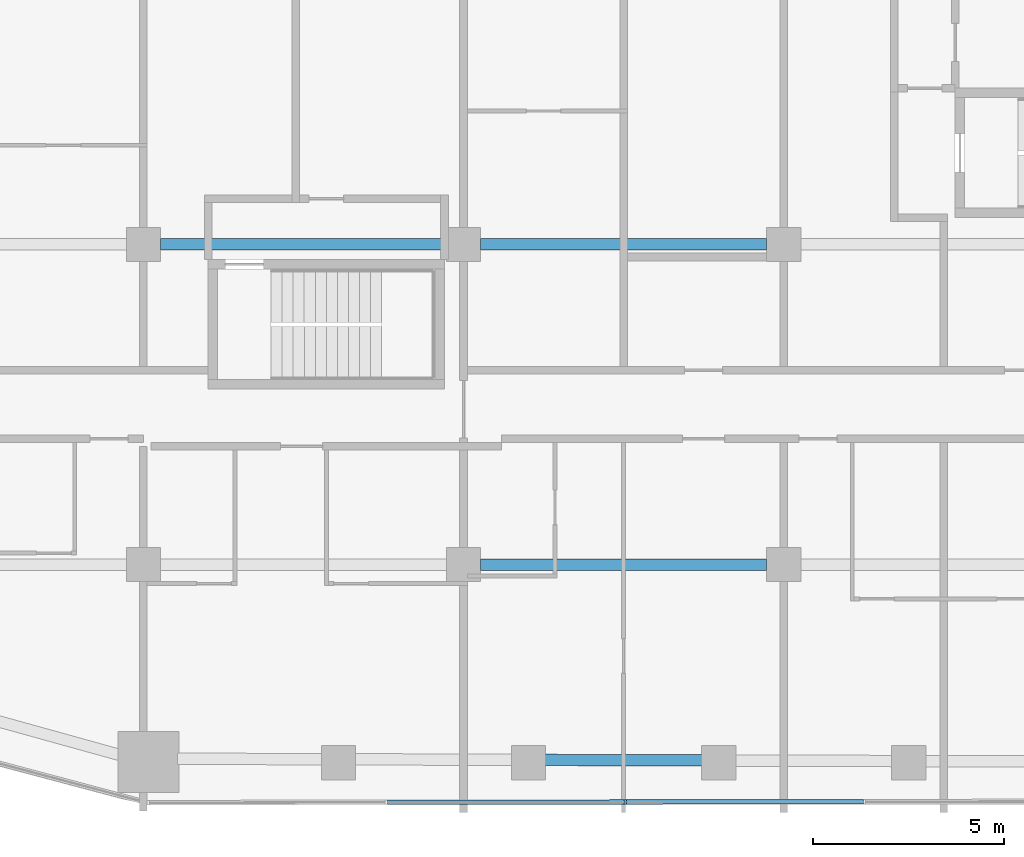
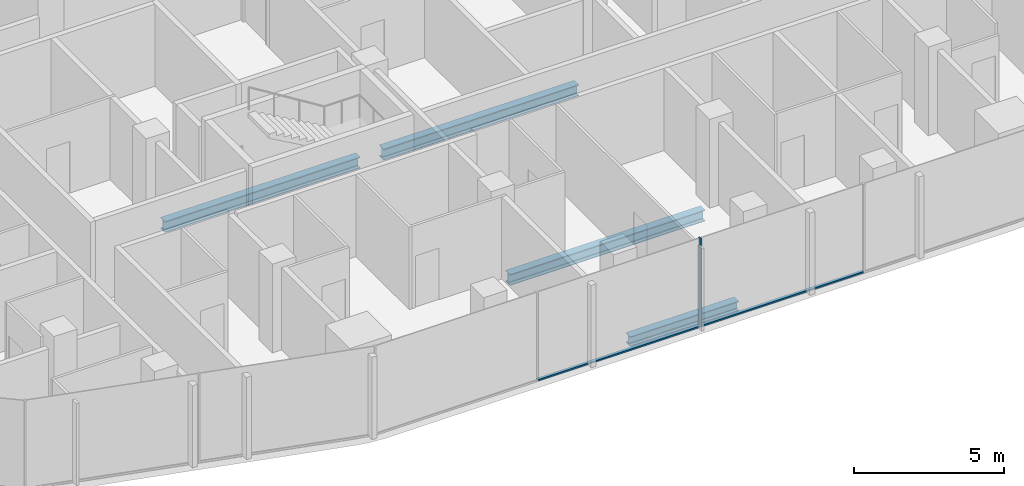
# One storey, part 3 of 23: 4 beams, 3 members, 1 element without a shape of its own.
"""IFC4 building model written with IfcOpenShell, lengths in metres."""

from ifc_helpers import new_model, si_unit, direction, frame, origin, origin_2d, place, context, subcontext, project, spatial, rectangle, i_section, extrude, material, layer, layer_set, material_profile, profile_set, type_object, element, aggregate, save


model = new_model("IFC4")

# Units and contexts
model_context = context("Model", 3, precision=1e-05, world=origin(), true_north=direction((0.0, 1.0)))
body_context = subcontext(model_context, "Body", "Model", "MODEL_VIEW")
ifc_project = project(units=[si_unit("LENGTHUNIT", "METRE"), si_unit("AREAUNIT", "SQUARE_METRE"), si_unit("VOLUMEUNIT", "CUBIC_METRE"), si_unit("PLANEANGLEUNIT", "RADIAN"), si_unit("MASSUNIT", "GRAM", prefix="KILO")], contexts=[model_context])

# Site, building, storey
site_placement = place(None, origin())
site = spatial("IfcSite", under=ifc_project, at=site_placement, CompositionType="ELEMENT")
building_placement = place(site_placement, origin())
building = spatial("IfcBuilding", under=site, at=building_placement, Name="Marenta Gate Hotel Tower", CompositionType="ELEMENT")
storey_placement = place(building_placement, frame((0.0, 0.0, 148.10009765625)))
storey = spatial("IfcBuildingStorey", under=building, at=storey_placement, Name="L34", CompositionType="ELEMENT", Elevation=148.10009765625)

# Beams
ifc_material_1 = material(Name="Steel S355", Category="steel")
ifc_material_profile_1 = material_profile(ifc_material_1, i_section(OverallWidth=0.300048828125, OverallDepth=0.39990234375, WebThickness=0.013427734375, FlangeThickness=0.02392578125, FilletRadius=0.027099609375, at=origin_2d()), Name="HEB 400")
ifc_profile_set_1 = profile_set([ifc_material_profile_1], Name="Steel S355")
beam_type_1 = type_object("IfcBeamType", Name="Edge beam HEB 400", PredefinedType="SPANDREL", material=ifc_profile_set_1)
beam_placement = place(storey_placement, frame((2.08349609375, -21.939453125, -0.460205078125), z_axis=(-0.999994808095, 0.003222387769, 0.0), x_axis=(-0.003222387769, -0.999994808095, 0.0)))
element("IfcBeam", 1, at=beam_placement, inside=storey, type_object=beam_type_1, Name="L34-EB-34", PredefinedType="SPANDREL", context=body_context, shape_type="SweptSolid", body=[
    extrude(i_section(OverallWidth=0.300048828125, OverallDepth=0.39990234375, WebThickness=0.013427734375, FlangeThickness=0.02392578125, FilletRadius=0.027099609375, at=origin_2d()), origin(), (0.0, 0.0, 1.0), 4.1669921875),
])
ifc_material_2 = material(Name="Steel S355", Category="steel")
ifc_material_profile_2 = material_profile(ifc_material_2, i_section(OverallWidth=0.300048828125, OverallDepth=0.449951171875, WebThickness=0.013916015625, FlangeThickness=0.02587890625, FilletRadius=0.027099609375, at=origin_2d()), Name="HEB 450")
ifc_profile_set_2 = profile_set([ifc_material_profile_2], Name="Steel S355")
beam_type_2 = type_object("IfcBeamType", Name="Girder HEB 450", PredefinedType="BEAM", material=ifc_profile_set_2)
for number, where, z_axis, x_axis, name in (
    (2, (-3.75, -16.800048828125, -0.485107421875), (1.0, 0.0, 0.0), (0.0, 1.0, 0.0), "L34-GD-4"),
    (3, (-12.14990234375, -8.39990234375, -0.485107421875), (1.0, 0.0, 0.0), (0.0, 1.0, 0.0), "L34-GD-10"),
    (4, (-3.75, -8.39990234375, -0.485107421875), (1.0, 0.0, 0.0), (0.0, 1.0, 0.0), "L34-GD-11"),
):
    element("IfcBeam", number, at=place(storey_placement, frame(where, z_axis=z_axis, x_axis=x_axis)), inside=storey, type_object=beam_type_2, Name=name, PredefinedType="BEAM", context=body_context, shape_type="SweptSolid", body=[
        extrude(i_section(OverallWidth=0.300048828125, OverallDepth=0.449951171875, WebThickness=0.013916015625, FlangeThickness=0.02587890625, FilletRadius=0.027099609375, at=origin_2d()), origin(), (0.0, 0.0, 1.0), 7.5),
    ])

# Curtain wall, members
ifc_material_3 = material(Name="Tinted insulated glass in bronze anodised frame", Category="glass")
ifc_layer = layer(ifc_material_3, 0.1201171875)
ifc_layer_set = layer_set([ifc_layer], Name="Tinted insulated glass in bronze anodised frame")
curtain_wall_type = type_object("IfcCurtainWallType", Name="Tower unitised curtain wall CW1", PredefinedType="NOTDEFINED", material=ifc_layer_set)
curtain_wall_placement = place(storey_placement, origin())
curtain_wall = element("IfcCurtainWall", 5, at=curtain_wall_placement, inside=storey, type_object=curtain_wall_type, Name="CW1 run G07", PredefinedType="NOTDEFINED")
ifc_material_4 = material(Name="Bronze anodised aluminium", Category="aluminium")
ifc_material_profile_3 = material_profile(ifc_material_4, rectangle(XDim=0.1201171875, YDim=0.06005859375, at=origin_2d()), Name="Mullion CW1 60x120 bronze anodised aluminium")
ifc_profile_set_3 = profile_set([ifc_material_profile_3], Name="Bronze anodised aluminium")
member_type_1 = type_object("IfcMemberType", Name="Mullion CW1 60x120 bronze anodised aluminium", PredefinedType="MULLION", material=ifc_profile_set_3)
member_1_placement = place(storey_placement, frame((0.0458984375, -23.030517578125, 0.0), z_axis=(0.0, 0.0, 1.0), x_axis=(-0.001362347707, 0.999999072004, 0.0)))
member_1 = element("IfcMember", 6, at=member_1_placement, type_object=member_type_1, Name="CW1 mullion 3", PredefinedType="MULLION", context=body_context, shape_type="SweptSolid", body=[
    extrude(rectangle(XDim=0.1201171875, YDim=0.06005859375, at=origin_2d()), origin(), (0.0, 0.0, 1.0), 3.599853515625),
])
ifc_material_5 = material(Name="Bronze anodised aluminium", Category="aluminium")
ifc_material_profile_4 = material_profile(ifc_material_5, rectangle(XDim=0.1201171875, YDim=0.06005859375, at=origin_2d()), Name="Transom CW1 60x120 bronze anodised aluminium")
ifc_profile_set_4 = profile_set([ifc_material_profile_4], Name="Bronze anodised aluminium")
member_type_2 = type_object("IfcMemberType", Name="Transom CW1 60x120 bronze anodised aluminium", PredefinedType="USERDEFINED", material=ifc_profile_set_4)
member_2_placement = place(storey_placement, frame((-6.199951171875, -23.038818359375, 0.02978515625), z_axis=(0.999999108317, 0.001335426932, 0.0), x_axis=(-0.001335426932, 0.999999108317, 0.0)))
member_2 = element("IfcMember", 7, at=member_2_placement, type_object=member_type_2, Name="CW1 transom 2.1", ObjectType="TRANSOM", PredefinedType="USERDEFINED", context=body_context, shape_type="SweptSolid", body=[
    extrude(rectangle(XDim=0.1201171875, YDim=0.06005859375, at=origin_2d()), origin(), (0.0, 0.0, 1.0), 6.2158203125),
])
member_3_placement = place(storey_placement, frame((0.075927734375, -23.0302734375, 0.02978515625), z_axis=(0.999999108387, 0.001335374482, 0.0), x_axis=(-0.001335374482, 0.999999108387, 0.0)))
member_3 = element("IfcMember", 8, at=member_3_placement, type_object=member_type_2, Name="CW1 transom 3.1", ObjectType="TRANSOM", PredefinedType="USERDEFINED", context=body_context, shape_type="SweptSolid", body=[
    extrude(rectangle(XDim=0.1201171875, YDim=0.06005859375, at=origin_2d()), origin(), (0.0, 0.0, 1.0), 6.216064453125),
])
aggregate(curtain_wall, [member_1, member_2, member_3])

save(model, "model.ifc")
